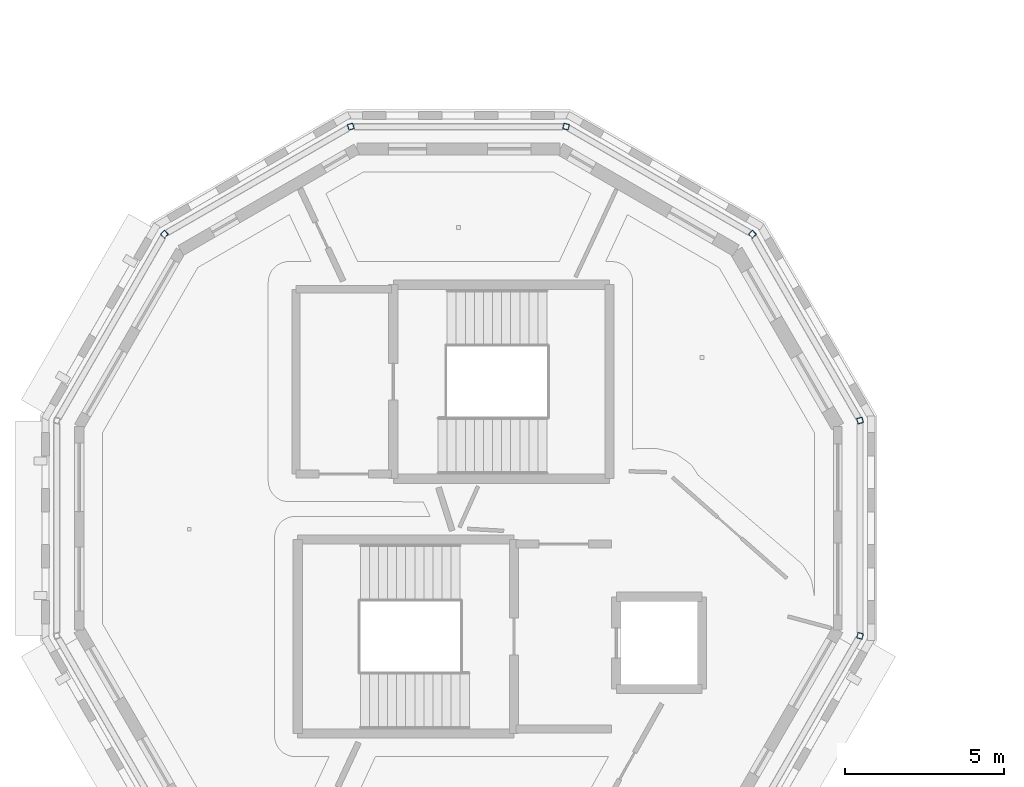
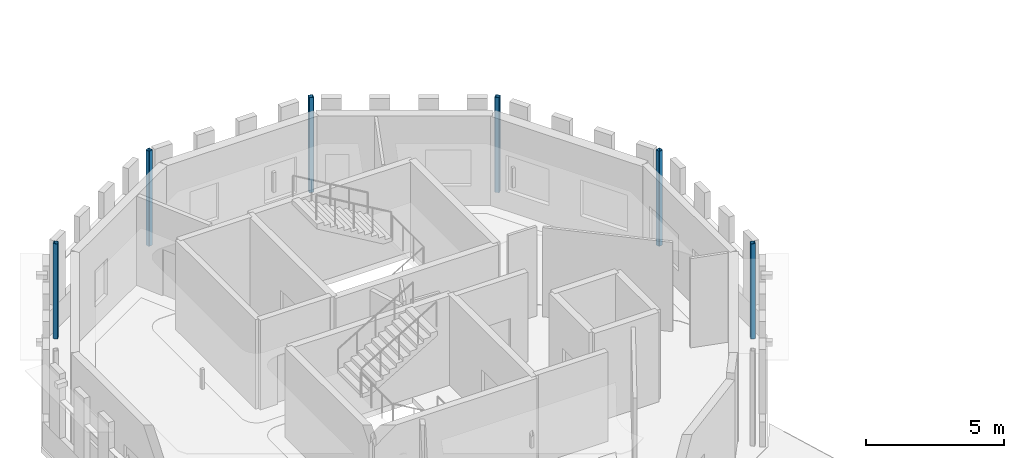
# One storey, part 5 of 68: 6 columns.
"""IFC4 building model written with IfcOpenShell, lengths in metres."""

from ifc_helpers import new_model, si_unit, direction, frame, origin, origin_2d, place, context, subcontext, project, spatial, hollow_rectangle, extrude, material, material_profile, profile_set, type_object, element, save


model = new_model("IFC4")

# Units and contexts
model_context = context("Model", 3, precision=1e-05, world=origin(), true_north=direction((0.0, 1.0)))
body_context = subcontext(model_context, "Body", "Model", "MODEL_VIEW")
ifc_project = project(units=[si_unit("LENGTHUNIT", "METRE"), si_unit("AREAUNIT", "SQUARE_METRE"), si_unit("VOLUMEUNIT", "CUBIC_METRE"), si_unit("PLANEANGLEUNIT", "RADIAN"), si_unit("MASSUNIT", "GRAM", prefix="KILO")], contexts=[model_context])

# Site, building, storey
site_placement = place(None, origin())
site = spatial("IfcSite", under=ifc_project, at=site_placement, CompositionType="ELEMENT")
building_placement = place(site_placement, origin())
building = spatial("IfcBuilding", under=site, at=building_placement, Name="Wrenclough Park School", CompositionType="ELEMENT")
storey_placement = place(building_placement, frame((0.0, 0.0, 12.60009765625)))
storey = spatial("IfcBuildingStorey", under=building, at=storey_placement, Name="L03", CompositionType="ELEMENT", Elevation=12.60009765625)

# Columns
ifc_material = material(Name="Structural steel S355", Category="steel")
ifc_material_profile = material_profile(ifc_material, hollow_rectangle(XDim=0.179931640625, YDim=0.179931640625, WallThickness=0.010009765625, InnerFilletRadius=0.010009765625, OuterFilletRadius=0.014892578125, at=origin_2d()), Name="SHS 180x180x10.0")
ifc_profile_set = profile_set([ifc_material_profile], Name="Structural steel S355")
column_type = type_object("IfcColumnType", Name="STR-COL-SHS180", PredefinedType="PILASTER", material=ifc_profile_set)
for number, where, z_axis, x_axis, name in (
    (1, (29.105224609375, 92.877685546875, 0.0), (0.0, 0.0, 1.0), (-0.258819045103, 0.965925826289, 0.0), "D3 L03 column D3-OUT-01"),
    (2, (25.727783203125, 98.727783203125, 0.0), (0.0, 0.0, 1.0), (-0.707106781187, 0.707106781187, 0.0), "D3 L03 column D3-OUT-02"),
    (3, (19.877685546875, 102.105224609375, 0.0), (0.0, 0.0, 1.0), (-0.965925826289, 0.258819045103, 0.0), "D3 L03 column D3-OUT-03"),
    (4, (13.122314453125, 102.105224609375, 0.0), (0.0, 0.0, 1.0), (-0.965925826289, -0.258819045103, 0.0), "D3 L03 column D3-OUT-04"),
    (5, (7.272216796875, 98.727783203125, 0.0), (0.0, 0.0, 1.0), (-0.707106781187, -0.707106781187, 0.0), "D3 L03 column D3-OUT-05"),
    (6, (29.105224609375, 86.122314453125, 0.0), (0.0, 0.0, 1.0), (0.258819045103, 0.965925826289, 0.0), "D3 L03 column D3-OUT-12"),
):
    element("IfcColumn", number, at=place(storey_placement, frame(where, z_axis=z_axis, x_axis=x_axis)), inside=storey, type_object=column_type, Name=name, PredefinedType="PILASTER", context=body_context, shape_type="SweptSolid", body=[
        extrude(hollow_rectangle(XDim=0.179931640625, YDim=0.179931640625, WallThickness=0.010009765625, InnerFilletRadius=0.010009765625, OuterFilletRadius=0.014892578125, at=origin_2d()), origin(), (0.0, 0.0, 1.0), 4.199951171875),
    ])

save(model, "model.ifc")
